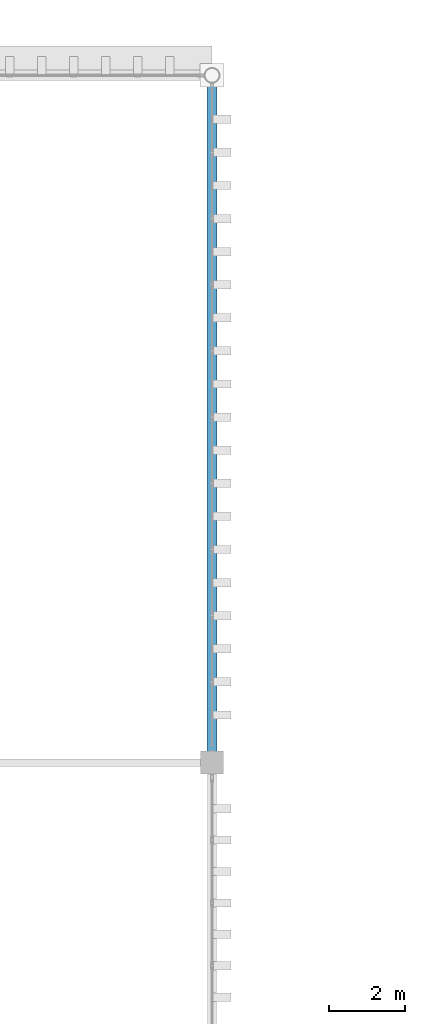
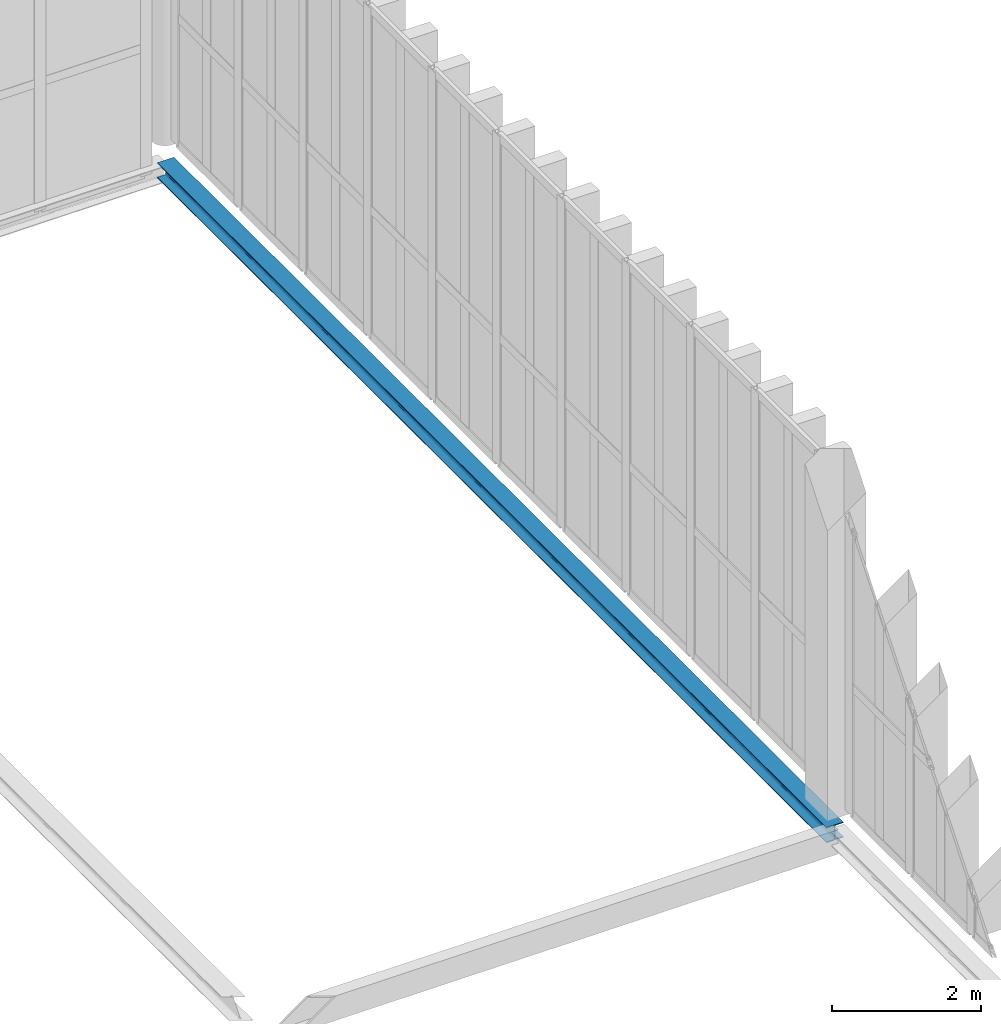
# One storey, part 110 of 237: 1 beam.
"""IFC4 building model written with IfcOpenShell, lengths in metres."""

from ifc_helpers import new_model, si_unit, direction, frame, origin, origin_2d, place, context, subcontext, project, spatial, i_section, extrude, material, material_profile, profile_set, type_object, element, save


model = new_model("IFC4")

# Units and contexts
model_context = context("Model", 3, precision=1e-05, world=origin(), true_north=direction((0.0, 1.0)))
body_context = subcontext(model_context, "Body", "Model", "MODEL_VIEW")
ifc_project = project(units=[si_unit("LENGTHUNIT", "METRE"), si_unit("AREAUNIT", "SQUARE_METRE"), si_unit("VOLUMEUNIT", "CUBIC_METRE"), si_unit("PLANEANGLEUNIT", "RADIAN"), si_unit("MASSUNIT", "GRAM", prefix="KILO")], contexts=[model_context])

# Site, building, storey
site_placement = place(None, origin())
site = spatial("IfcSite", under=ifc_project, at=site_placement, CompositionType="ELEMENT")
building_placement = place(site_placement, origin())
building = spatial("IfcBuilding", under=site, at=building_placement, Name="Barlavento Convention Centre", CompositionType="ELEMENT")
storey_placement = place(building_placement, frame((0.0, 0.0, 12.0)))
storey = spatial("IfcBuildingStorey", under=building, at=storey_placement, Name="L02", CompositionType="ELEMENT", Elevation=12.0)

# Beam
ifc_material = material(Name="Steel S355", Category="steel")
ifc_material_profile = material_profile(ifc_material, i_section(OverallWidth=0.260009765625, OverallDepth=0.25, WebThickness=0.007568359375, FlangeThickness=0.012451171875, FilletRadius=0.02392578125, at=origin_2d()), Name="HEA 260")
ifc_profile_set = profile_set([ifc_material_profile], Name="Steel S355")
beam_type = type_object("IfcBeamType", Name="STR-BM-SPN-HEA260", PredefinedType="SPANDREL", material=ifc_profile_set)
beam_placement = place(storey_placement, frame((126.0, 117.02001953125, -0.485107421875), z_axis=(0.0, 1.0, 0.0), x_axis=(-1.0, 0.0, 0.0)))
element("IfcBeam", 1, at=beam_placement, inside=storey, type_object=beam_type, Name="L02 grid girder SP04", PredefinedType="SPANDREL", context=body_context, shape_type="SweptSolid", body=[
    extrude(i_section(OverallWidth=0.260009765625, OverallDepth=0.25, WebThickness=0.007568359375, FlangeThickness=0.012451171875, FilletRadius=0.02392578125, at=origin_2d()), origin(), (0.0, 0.0, 1.0), 17.9599609375),
])

save(model, "model.ifc")
